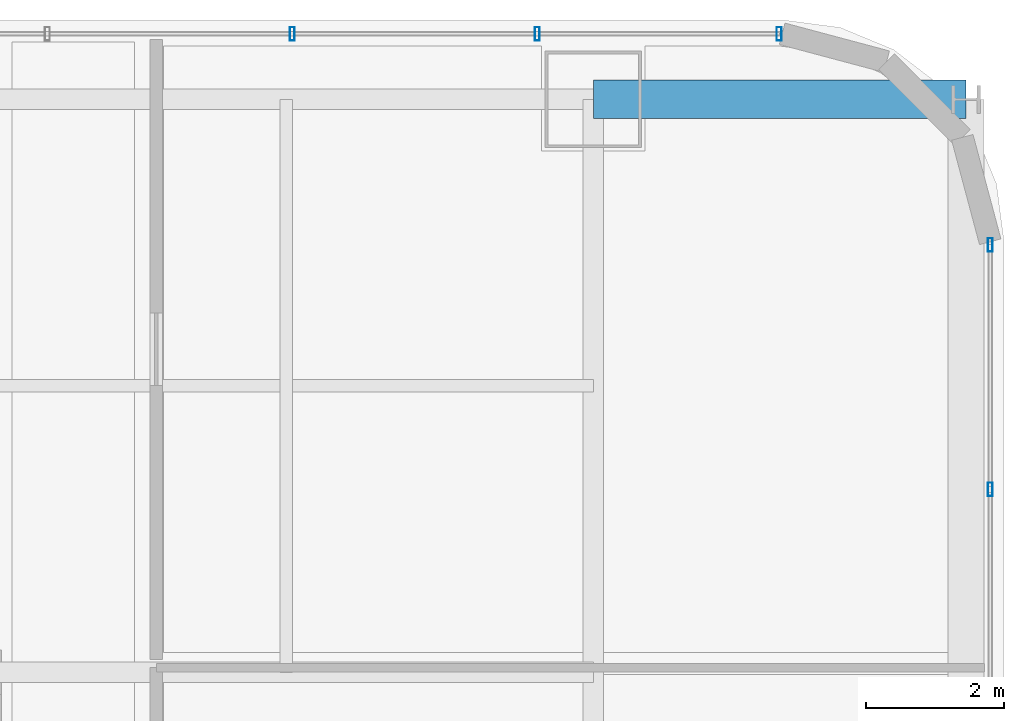
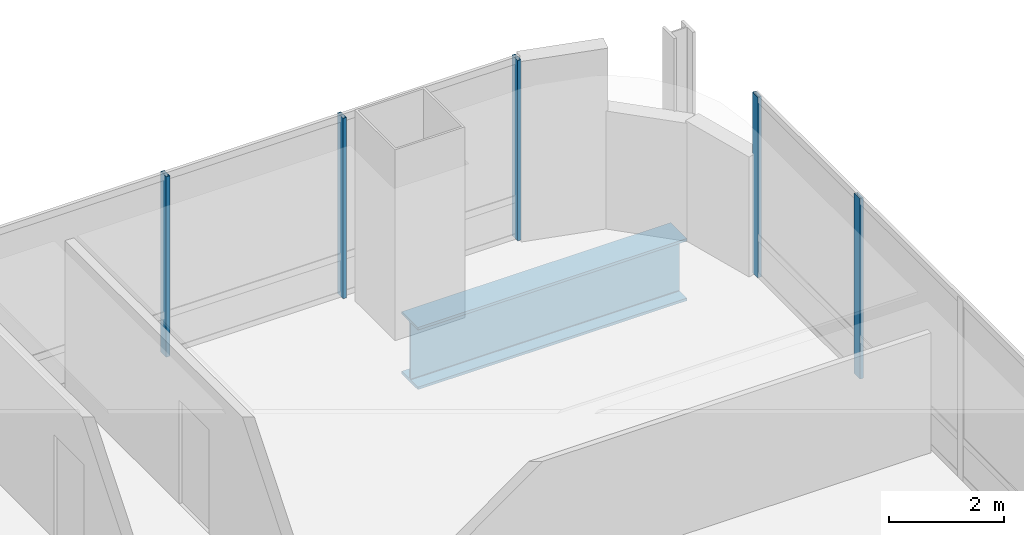
# One storey, part 27 of 36: 5 members, 1 beam, 2 elements without a shape of their own.
"""IFC4 building model written with IfcOpenShell, lengths in metres."""

from ifc_helpers import new_model, si_unit, direction, frame, origin, origin_2d, place, context, subcontext, project, spatial, hollow_rectangle, i_section, extrude, material, material_profile, profile_set, type_object, element, aggregate, save


model = new_model("IFC4")

# Units and contexts
model_context = context("Model", 3, precision=1e-05, world=origin(), true_north=direction((0.0, 1.0)))
body_context = subcontext(model_context, "Body", "Model", "MODEL_VIEW")
ifc_project = project(units=[si_unit("LENGTHUNIT", "METRE"), si_unit("AREAUNIT", "SQUARE_METRE"), si_unit("VOLUMEUNIT", "CUBIC_METRE"), si_unit("PLANEANGLEUNIT", "RADIAN"), si_unit("MASSUNIT", "GRAM", prefix="KILO")], contexts=[model_context])

# Site, building, storey
site_placement = place(None, origin())
site = spatial("IfcSite", under=ifc_project, at=site_placement, CompositionType="ELEMENT")
building_placement = place(site_placement, origin())
building = spatial("IfcBuilding", under=site, at=building_placement, Name="Punatoya Terracotta Tower", CompositionType="ELEMENT")
storey_placement = place(building_placement, frame((0.0, 0.0, 228.89990234375)))
storey = spatial("IfcBuildingStorey", under=building, at=storey_placement, Name="L54", CompositionType="ELEMENT", Elevation=228.89990234375)

# Beam
ifc_material_1 = material(Name="Steel S460", Category="steel")
ifc_material_profile_1 = material_profile(ifc_material_1, i_section(OverallWidth=0.56005859375, OverallDepth=1.320068359375, WebThickness=0.035888671875, FlangeThickness=0.054931640625, FilletRadius=0.01806640625, at=origin_2d()))
ifc_profile_set_1 = profile_set([ifc_material_profile_1], Name="Steel S460")
beam_type = type_object("IfcBeamType", Name="BM-TG-BLK", PredefinedType="BEAM", material=ifc_profile_set_1)
beam_placement = place(storey_placement, frame((19.10009765625, 17.5, -0.8798828125), z_axis=(1.0, 0.0, 0.0), x_axis=(0.0, 1.0, 0.0)))
element("IfcBeam", 1, at=beam_placement, inside=storey, type_object=beam_type, Name="BM-L54-CANT-E4", PredefinedType="BEAM", context=body_context, shape_type="SweptSolid", body=[
    extrude(i_section(OverallWidth=0.56005859375, OverallDepth=1.320068359375, WebThickness=0.035888671875, FlangeThickness=0.054931640625, FilletRadius=0.01806640625, at=origin_2d()), origin(), (0.0, 0.0, 1.0), 5.39990234375),
])

# Curtain wall, members
ifc_material_2 = material(Name="Aluminium 6063-T6 + Double Low-E Glass", Category="aluminium")
curtain_wall_type = type_object("IfcCurtainWallType", Name="CW-M2", PredefinedType="NOTDEFINED", material=ifc_material_2)
curtain_wall_1_placement = place(storey_placement, origin())
curtain_wall_1 = element("IfcCurtainWall", 2, at=curtain_wall_1_placement, inside=storey, type_object=curtain_wall_type, Name="L54 Curtain Wall CW-L54-E04-1", PredefinedType="NOTDEFINED")
ifc_material_3 = material(Name="Aluminium 6063-T6", Category="aluminium")
ifc_material_profile_2 = material_profile(ifc_material_3, hollow_rectangle(XDim=0.072021484375, YDim=0.195068359375, WallThickness=0.00439453125, at=origin_2d()))
ifc_profile_set_2 = profile_set([ifc_material_profile_2], Name="Aluminium 6063-T6")
member_type = type_object("IfcMemberType", Name="CW-MUL-M2", PredefinedType="MULLION", material=ifc_profile_set_2)
member_1_placement = place(storey_placement, frame((24.85009765625, 11.849609375, 0.0), z_axis=(0.0, 0.0, 1.0), x_axis=(1.0, 0.0, 0.0)))
member_1 = element("IfcMember", 3, at=member_1_placement, type_object=member_type, Name="CW-L54-E04-1 Mullion 08", PredefinedType="MULLION", context=body_context, shape_type="SweptSolid", body=[
    extrude(hollow_rectangle(XDim=0.072021484375, YDim=0.195068359375, WallThickness=0.00439453125, at=origin_2d()), origin(), (0.0, 0.0, 1.0), 3.830078125),
])
member_2_placement = place(storey_placement, frame((24.85009765625, 15.391845703125, 0.0), z_axis=(0.0, 0.0, 1.0), x_axis=(1.0, 0.0, 0.0)))
member_2 = element("IfcMember", 4, at=member_2_placement, type_object=member_type, Name="CW-L54-E04-1 Mullion 09", PredefinedType="MULLION", context=body_context, shape_type="SweptSolid", body=[
    extrude(hollow_rectangle(XDim=0.072021484375, YDim=0.195068359375, WallThickness=0.00439453125, at=origin_2d()), origin(), (0.0, 0.0, 1.0), 3.830078125),
])
aggregate(curtain_wall_1, [member_1, member_2])

curtain_wall_2_placement = place(storey_placement, origin())
curtain_wall_2 = element("IfcCurtainWall", 5, at=curtain_wall_2_placement, inside=storey, type_object=curtain_wall_type, Name="L54 Curtain Wall CW-L54-N08-1", PredefinedType="NOTDEFINED")
member_3_placement = place(storey_placement, frame((21.7919921875, 18.449951171875, 0.0), z_axis=(0.0, 0.0, 1.0), x_axis=(1.0, 0.0, 0.0)))
member_3 = element("IfcMember", 6, at=member_3_placement, type_object=member_type, Name="CW-L54-N08-1 Mullion 00", PredefinedType="MULLION", context=body_context, shape_type="SweptSolid", body=[
    extrude(hollow_rectangle(XDim=0.072021484375, YDim=0.195068359375, WallThickness=0.00439453125, at=origin_2d()), origin(), (0.0, 0.0, 1.0), 3.830078125),
])
member_4_placement = place(storey_placement, frame((18.2880859375, 18.449951171875, 0.0), z_axis=(0.0, 0.0, 1.0), x_axis=(1.0, 0.0, 0.0)))
member_4 = element("IfcMember", 7, at=member_4_placement, type_object=member_type, Name="CW-L54-N08-1 Mullion 01", PredefinedType="MULLION", context=body_context, shape_type="SweptSolid", body=[
    extrude(hollow_rectangle(XDim=0.072021484375, YDim=0.195068359375, WallThickness=0.00439453125, at=origin_2d()), origin(), (0.0, 0.0, 1.0), 3.830078125),
])
member_5_placement = place(storey_placement, frame((14.739501953125, 18.449951171875, 0.0), z_axis=(0.0, 0.0, 1.0), x_axis=(1.0, 0.0, 0.0)))
member_5 = element("IfcMember", 8, at=member_5_placement, type_object=member_type, Name="CW-L54-N08-1 Mullion 02", PredefinedType="MULLION", context=body_context, shape_type="SweptSolid", body=[
    extrude(hollow_rectangle(XDim=0.072021484375, YDim=0.195068359375, WallThickness=0.00439453125, at=origin_2d()), origin(), (0.0, 0.0, 1.0), 3.830078125),
])
aggregate(curtain_wall_2, [member_3, member_4, member_5])

save(model, "model.ifc")
